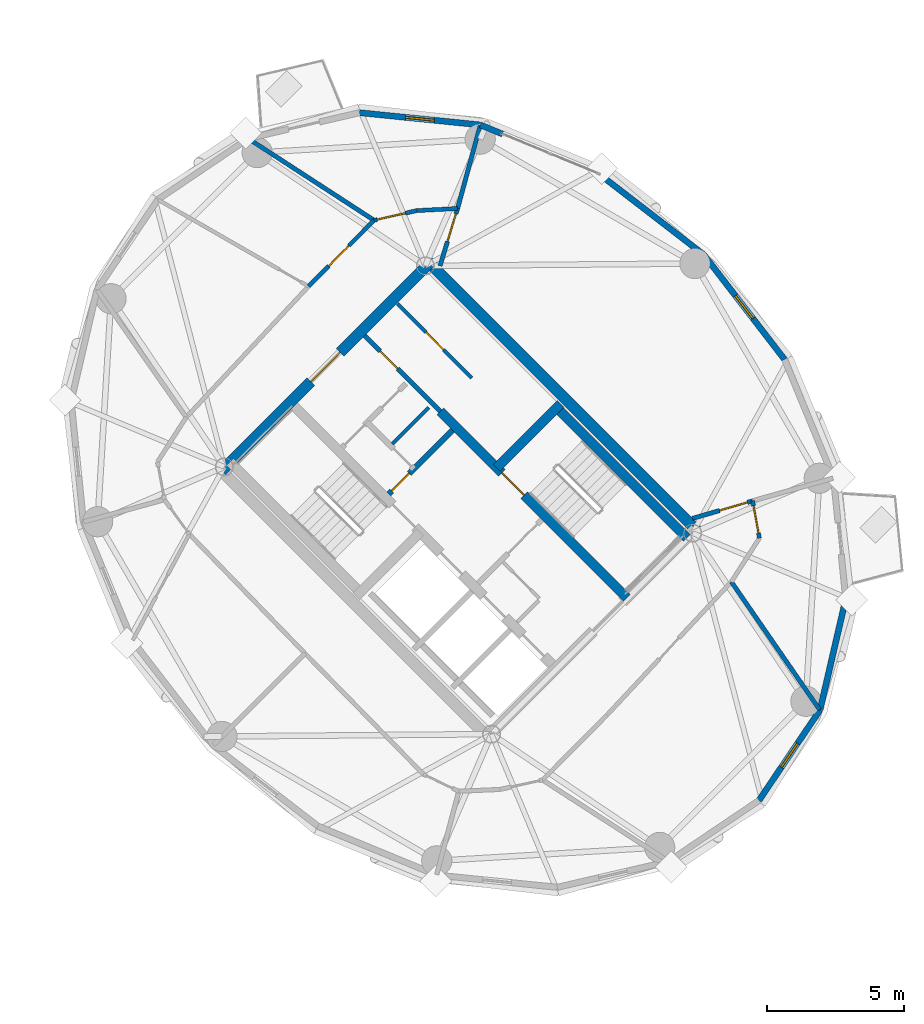
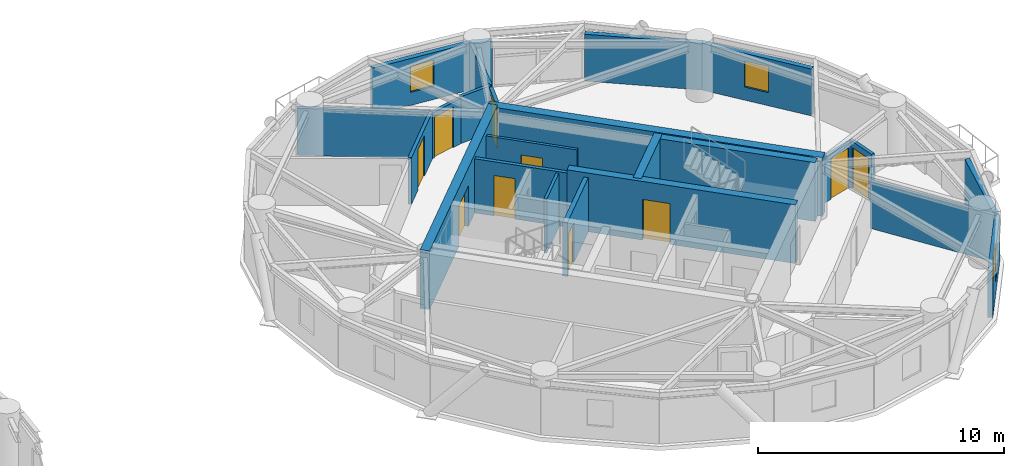
# One storey, part 12 of 16: 24 walls, 10 doors, 3 windows, 13 openings.
"""IFC4 building model written with IfcOpenShell, lengths in metres."""

from ifc_helpers import new_model, si_unit, direction, frame, frame_2d, origin, place, context, subcontext, project, spatial, rectangle, extrude, source, transform, mapped, material, layer, layer_set, type_object, element, fill, save


model = new_model("IFC4")

# Units and contexts
model_context = context("Model", 3, precision=1e-05, world=origin(), true_north=direction((0.0, 1.0)))
body_context = subcontext(model_context, "Body", "Model", "MODEL_VIEW")
ifc_project = project(units=[si_unit("LENGTHUNIT", "METRE"), si_unit("AREAUNIT", "SQUARE_METRE"), si_unit("VOLUMEUNIT", "CUBIC_METRE"), si_unit("PLANEANGLEUNIT", "RADIAN"), si_unit("MASSUNIT", "GRAM", prefix="KILO")], contexts=[model_context])

# Site, building, storey
site_placement = place(None, origin())
site = spatial("IfcSite", under=ifc_project, at=site_placement, CompositionType="ELEMENT")
building_placement = place(site_placement, origin())
building = spatial("IfcBuilding", under=site, at=building_placement, Name="Cununo Teusaquillo Station Towers", CompositionType="ELEMENT")
storey_placement = place(building_placement, frame((0.0, 0.0, 208.300048828125)))
storey = spatial("IfcBuildingStorey", under=building, at=storey_placement, Name="L66", CompositionType="ELEMENT", Elevation=208.300048828125)

# Wall, opening, door
ifc_material_1 = material(Name="Concrete C50/60", Category="concrete")
ifc_layer_1 = layer(ifc_material_1, 0.35009765625)
ifc_layer_set_1 = layer_set([ifc_layer_1], Name="Concrete C50/60")
wall_type_1 = type_object("IfcWallType", Name="WL-CORE-350", PredefinedType="SHEAR", material=ifc_layer_set_1)
wall_1_placement = place(storey_placement, frame((63.627197265625, 20.939697265625, 0.0), z_axis=(0.0, 0.0, 1.0), x_axis=(-0.707119496762, 0.707094065383, 0.0)))
wall_1 = element("IfcWall", 1, at=wall_1_placement, inside=storey, type_object=wall_type_1, Name="L66 Tower B Core Shear Wall IE", PredefinedType="SHEAR", context=body_context, shape_type="SweptSolid", body=[
    extrude(rectangle(XDim=9.60009765625, YDim=0.35009765625, at=frame_2d((4.800048828125, 0.0))), origin(), (0.0, 0.0, 1.0), 2.909912109375),
])
shared_shape_1 = source(origin(), body_context, "Body", "SweptSolid", [
    extrude(rectangle(XDim=1.14990234375, YDim=2.02001953125, at=frame_2d((0.574951171875, 1.010009765625))), frame((0.0, 0.18505859375, 0.0), z_axis=(0.0, -1.0, 0.0), x_axis=(1.0, 0.0, 0.0)), (0.0, 0.0, 1.0), 0.3701171875),
])
opening_1_placement = place(wall_1_placement, frame((5.280029296875, 0.0, 0.0)))
opening_1 = element("IfcOpeningElement", 2, at=opening_1_placement, cuts=wall_1, Name="Opening D-ST1", PredefinedType="OPENING", context=body_context, shape_type="MappedRepresentation", body=[
    mapped(shared_shape_1, transform((0.0, 0.0, 0.0), x_axis=(1.0, 0.0, 0.0), y_axis=(0.0, 1.0, 0.0), z_axis=(0.0, 0.0, 1.0), scale=1.0)),
])
ifc_material_2 = material(Name="Galvanised fire-rated hollow steel door assembly", Category="steel")
door_type_1 = type_object("IfcDoorType", Name="DR-STAIR-1150", OperationType="NOTDEFINED", PredefinedType="DOOR", material=ifc_material_2)
shared_shape_2 = source(origin(), body_context, "Body", "SweptSolid", [
    extrude(rectangle(XDim=1.14990234375, YDim=2.02001953125, at=frame_2d((0.574951171875, 1.010009765625))), frame((0.0, 0.02490234375, 0.0), z_axis=(0.0, -1.0, 0.0), x_axis=(1.0, 0.0, 0.0)), (0.0, 0.0, 1.0), 0.050048828125),
])
door_1_placement = place(opening_1_placement, origin())
door_1 = element("IfcDoor", 3, at=door_1_placement, inside=storey, type_object=door_type_1, Name="L66 Tower B Exit Stair 2 Fire Door", OperationType="SINGLE_SWING_RIGHT", OverallHeight=2.02001953125, OverallWidth=1.14990234375, PredefinedType="DOOR", context=body_context, shape_type="MappedRepresentation", body=[
    mapped(shared_shape_2, transform((0.0, 0.0, 0.0), x_axis=(1.0, 0.0, 0.0), y_axis=(0.0, 1.0, 0.0), z_axis=(0.0, 0.0, 1.0), scale=1.0)),
])
fill(opening_1, door_1)

# Walls
wall_2_placement = place(storey_placement, frame((65.81201171875, 23.124755859375, 0.0), z_axis=(0.0, 0.0, 1.0), x_axis=(-0.707106781187, 0.707106781187, 0.0)))
element("IfcWall", 4, at=wall_2_placement, inside=storey, type_object=wall_type_1, Name="L66 Tower B Core Shear Wall ST2E", PredefinedType="SHEAR", context=body_context, shape_type="SweptSolid", body=[
    extrude(rectangle(XDim=6.695068359375, YDim=0.35009765625, at=frame_2d((3.34765625, 0.0))), origin(), (0.0, 0.0, 1.0), 2.909912109375),
])
wall_3_placement = place(storey_placement, frame((58.89306640625, 25.673828125, 0.0), z_axis=(0.0, 0.0, 1.0), x_axis=(0.707106781187, 0.707106781187, 0.0)))
element("IfcWall", 5, at=wall_3_placement, inside=storey, type_object=wall_type_1, Name="L66 Tower B Core Shear Wall ST2N", PredefinedType="SHEAR", context=body_context, shape_type="SweptSolid", body=[
    extrude(rectangle(XDim=3.284912109375, YDim=0.35009765625, at=frame_2d((1.642578125, 0.0))), origin(), (0.0, 0.0, 1.0), 2.909912109375),
])
ifc_material_3 = material(Name="Concrete C50/60", Category="concrete")
ifc_layer_2 = layer(ifc_material_3, 0.39990234375)
ifc_layer_set_2 = layer_set([ifc_layer_2], Name="Concrete C50/60")
wall_type_2 = type_object("IfcWallType", Name="WL-CORE-400", PredefinedType="SHEAR", material=ifc_layer_set_2)
wall_4_placement = place(storey_placement, frame((66.26806640625, 23.2978515625, 0.0), z_axis=(0.0, 0.0, 1.0), x_axis=(-0.707106781187, 0.707106781187, 0.0)))
element("IfcWall", 6, at=wall_4_placement, inside=storey, type_object=wall_type_2, Name="L66 Tower B Core Shear Wall E", PredefinedType="SHEAR", context=body_context, shape_type="SweptSolid", body=[
    extrude(rectangle(XDim=14.10009765625, YDim=0.39990234375, at=frame_2d((7.050048828125, 0.0))), origin(), (0.0, 0.0, 1.0), 2.909912109375),
])

# Wall, opening, door
wall_5_placement = place(storey_placement, frame((48.873291015625, 25.560791015625, 0.0), z_axis=(0.0, 0.0, 1.0), x_axis=(0.707106781187, 0.707106781187, 0.0)))
wall_5 = element("IfcWall", 7, at=wall_5_placement, inside=storey, type_object=wall_type_2, Name="L66 Tower B Core Shear Wall N", PredefinedType="SHEAR", context=body_context, shape_type="SweptSolid", body=[
    extrude(rectangle(XDim=10.69970703125, YDim=0.39990234375, at=frame_2d((5.349853515625, 0.0))), origin(), (0.0, 0.0, 1.0), 2.909912109375),
])
shared_shape_3 = source(origin(), body_context, "Body", "SweptSolid", [
    extrude(rectangle(XDim=1.5, YDim=2.02001953125, at=frame_2d((0.75, 1.010009765625))), frame((0.0, 0.2099609375, 0.0), z_axis=(0.0, -1.0, 0.0), x_axis=(1.0, 0.0, 0.0)), (0.0, 0.0, 1.0), 0.419921875),
])
opening_2_placement = place(wall_5_placement, frame((4.60009765625, 0.0, 0.0)))
opening_2 = element("IfcOpeningElement", 8, at=opening_2_placement, cuts=wall_5, Name="Opening D-LB1", PredefinedType="OPENING", context=body_context, shape_type="MappedRepresentation", body=[
    mapped(shared_shape_3, transform((0.0, 0.0, 0.0), x_axis=(1.0, 0.0, 0.0), y_axis=(0.0, 1.0, 0.0), z_axis=(0.0, 0.0, 1.0), scale=1.0)),
])
ifc_material_4 = material(Name="Galvanised fire-rated hollow steel door assembly", Category="steel")
door_type_2 = type_object("IfcDoorType", Name="DR-LOBBY-1500", OperationType="DOUBLE_DOOR_SINGLE_SWING", PredefinedType="DOOR", material=ifc_material_4)
shared_shape_4 = source(origin(), body_context, "Body", "SweptSolid", [
    extrude(rectangle(XDim=1.5, YDim=2.02001953125, at=frame_2d((0.75, 1.010009765625))), frame((0.0, 0.02490234375, 0.0), z_axis=(0.0, -1.0, 0.0), x_axis=(1.0, 0.0, 0.0)), (0.0, 0.0, 1.0), 0.050048828125),
])
door_2_placement = place(opening_2_placement, origin())
door_2 = element("IfcDoor", 9, at=door_2_placement, inside=storey, type_object=door_type_2, Name="L66 Tower B North Core Lift Lobby Door", OperationType="DOUBLE_DOOR_SINGLE_SWING", OverallHeight=2.02001953125, OverallWidth=1.5, PredefinedType="DOOR", context=body_context, shape_type="MappedRepresentation", body=[
    mapped(shared_shape_4, transform((0.0, 0.0, 0.0), x_axis=(1.0, 0.0, 0.0), y_axis=(0.0, 1.0, 0.0), z_axis=(0.0, 0.0, 1.0), scale=1.0)),
])
fill(opening_2, door_2)

# Walls
ifc_material_5 = material(Name="Precast concrete C40/50", Category="concrete")
ifc_layer_3 = layer(ifc_material_5, 0.219970703125)
ifc_layer_set_3 = layer_set([ifc_layer_3], Name="Precast concrete C40/50")
wall_type_3 = type_object("IfcWallType", Name="WL-EXT-220", PredefinedType="SOLIDWALL", material=ifc_layer_set_3)
wall_6_placement = place(storey_placement, frame((62.61328125, 36.373779296875, 0.0), z_axis=(0.0, 0.0, 1.0), x_axis=(0.791998462147, -0.610523083886, 0.0)))
element("IfcWall", 10, at=wall_6_placement, inside=storey, type_object=wall_type_3, Name="L66 Tower B Exterior Facade Wall C00", PredefinedType="SOLIDWALL", context=body_context, shape_type="SweptSolid", body=[
    extrude(rectangle(XDim=4.8203125, YDim=0.219970703125, at=frame_2d((2.41015625, 0.0))), origin(), (0.0, 0.0, 1.0), 2.322021484375),
])
wall_7_placement = place(storey_placement, frame((58.29541015625, 38.15478515625, 0.0), z_axis=(0.0, 0.0, 1.0), x_axis=(0.924515260676, -0.381145028536, 0.0)))
element("IfcWall", 11, at=wall_7_placement, inside=storey, type_object=wall_type_3, Name="L66 Tower B Column Pier Cladding Wall C01-PA", PredefinedType="SOLIDWALL", context=body_context, shape_type="SweptSolid", body=[
    extrude(rectangle(XDim=0.869873046875, YDim=0.219970703125, at=frame_2d((0.43505859375, 0.0))), origin(), (0.0, 0.0, 1.0), 2.322021484375),
])

# Wall, opening, window
wall_8_placement = place(storey_placement, frame((53.899658203125, 38.59912109375, 0.0), z_axis=(0.0, 0.0, 1.0), x_axis=(0.994929930991, -0.100570534541, 0.0)))
wall_8 = element("IfcWall", 12, at=wall_8_placement, inside=storey, type_object=wall_type_3, Name="L66 Tower B Exterior Facade Wall C02", PredefinedType="SOLIDWALL", context=body_context, shape_type="SweptSolid", body=[
    extrude(rectangle(XDim=4.418212890625, YDim=0.219970703125, at=frame_2d((2.208984375, 0.0))), origin(), (0.0, 0.0, 1.0), 2.322021484375),
])
shared_shape_5 = source(origin(), body_context, "Body", "SweptSolid", [
    extrude(rectangle(XDim=1.050048828125, YDim=1.300048828125, at=frame_2d((0.52490234375, 0.64990234375))), frame((0.0, 0.119873046875, 0.0), z_axis=(0.0, -1.0, 0.0), x_axis=(1.0, 0.0, 0.0)), (0.0, 0.0, 1.0), 0.239990234375),
])
opening_3_placement = place(wall_8_placement, frame((1.68408203125, 0.0, 0.64990234375)))
opening_3 = element("IfcOpeningElement", 13, at=opening_3_placement, cuts=wall_8, Name="Opening WN-04", PredefinedType="OPENING", context=body_context, shape_type="MappedRepresentation", body=[
    mapped(shared_shape_5, transform((0.0, 0.0, 0.0), x_axis=(1.0, 0.0, 0.0), y_axis=(0.0, 1.0, 0.0), z_axis=(0.0, 0.0, 1.0), scale=1.0)),
])
ifc_material_6 = material(Name="Operable acoustic tinted low-E double glazing", Category="glass")
window_type = type_object("IfcWindowType", Name="WIN-BAL-1050", PartitioningType="SINGLE_PANEL", PredefinedType="WINDOW", material=ifc_material_6)
shared_shape_6 = source(origin(), body_context, "Body", "SweptSolid", [
    extrude(rectangle(XDim=1.050048828125, YDim=1.300048828125, at=frame_2d((0.52490234375, 0.64990234375))), frame((0.0, 0.030029296875, 0.0), z_axis=(0.0, -1.0, 0.0), x_axis=(1.0, 0.0, 0.0)), (0.0, 0.0, 1.0), 0.06005859375),
])
window_1_placement = place(opening_3_placement, origin())
window_1 = element("IfcWindow", 14, at=window_1_placement, inside=storey, type_object=window_type, Name="L66 Tower B Facade Window C02", OverallHeight=1.300048828125, OverallWidth=1.050048828125, PartitioningType="SINGLE_PANEL", PredefinedType="WINDOW", context=body_context, shape_type="MappedRepresentation", body=[
    mapped(shared_shape_6, transform((0.0, 0.0, 0.0), x_axis=(1.0, 0.0, 0.0), y_axis=(0.0, 1.0, 0.0), z_axis=(0.0, 0.0, 1.0), scale=1.0)),
])
fill(opening_3, window_1)

wall_9_placement = place(storey_placement, frame((70.663330078125, 16.856201171875, 0.0), z_axis=(0.0, 0.0, 1.0), x_axis=(-0.559495003079, -0.828833723692, 0.0)))
wall_9 = element("IfcWall", 15, at=wall_9_placement, inside=storey, type_object=wall_type_3, Name="L66 Tower B Exterior Facade Wall C15", PredefinedType="SOLIDWALL", context=body_context, shape_type="SweptSolid", body=[
    extrude(rectangle(XDim=3.9755859375, YDim=0.219970703125, at=frame_2d((1.98779296875, 0.0))), origin(), (0.0, 0.0, 1.0), 2.322021484375),
])
opening_4_placement = place(wall_9_placement, frame((1.462890625, 0.0, 0.64990234375)))
opening_4 = element("IfcOpeningElement", 16, at=opening_4_placement, cuts=wall_9, Name="Opening WN-04", PredefinedType="OPENING", context=body_context, shape_type="MappedRepresentation", body=[
    mapped(shared_shape_5, transform((0.0, 0.0, 0.0), x_axis=(1.0, 0.0, 0.0), y_axis=(0.0, 1.0, 0.0), z_axis=(0.0, 0.0, 1.0), scale=1.0)),
])
window_2_placement = place(opening_4_placement, origin())
window_2 = element("IfcWindow", 17, at=window_2_placement, inside=storey, type_object=window_type, Name="L66 Tower B Facade Window C15", OverallHeight=1.300048828125, OverallWidth=1.050048828125, PartitioningType="SINGLE_PANEL", PredefinedType="WINDOW", context=body_context, shape_type="MappedRepresentation", body=[
    mapped(shared_shape_6, transform((0.0, 0.0, 0.0), x_axis=(1.0, 0.0, 0.0), y_axis=(0.0, 1.0, 0.0), z_axis=(0.0, 0.0, 1.0), scale=1.0)),
])
fill(opening_4, window_2)

# Wall
wall_10_placement = place(storey_placement, frame((71.59912109375, 20.899658203125, 0.0), z_axis=(0.0, 0.0, 1.0), x_axis=(-0.225473813158, -0.974249228678, 0.0)))
element("IfcWall", 18, at=wall_10_placement, inside=storey, type_object=wall_type_3, Name="L66 Tower B Exterior Facade Wall C16", PredefinedType="SOLIDWALL", context=body_context, shape_type="SweptSolid", body=[
    extrude(rectangle(XDim=4.150390625, YDim=0.219970703125, at=frame_2d((2.0751953125, 0.0))), origin(), (0.0, 0.0, 1.0), 2.322021484375),
])

# Wall, opening, window
wall_11_placement = place(storey_placement, frame((66.430908203125, 33.430908203125, 0.0), z_axis=(0.0, 0.0, 1.0), x_axis=(0.610523083886, -0.791998462147, 0.0)))
wall_11 = element("IfcWall", 19, at=wall_11_placement, inside=storey, type_object=wall_type_3, Name="L66 Tower B Exterior Facade Wall C19", PredefinedType="SOLIDWALL", context=body_context, shape_type="SweptSolid", body=[
    extrude(rectangle(XDim=4.8203125, YDim=0.219970703125, at=frame_2d((2.41015625, 0.0))), origin(), (0.0, 0.0, 1.0), 2.322021484375),
])
opening_5_placement = place(wall_11_placement, frame((1.885009765625, 0.0, 0.64990234375)))
opening_5 = element("IfcOpeningElement", 20, at=opening_5_placement, cuts=wall_11, Name="Opening WN-04", PredefinedType="OPENING", context=body_context, shape_type="MappedRepresentation", body=[
    mapped(shared_shape_5, transform((0.0, 0.0, 0.0), x_axis=(1.0, 0.0, 0.0), y_axis=(0.0, 1.0, 0.0), z_axis=(0.0, 0.0, 1.0), scale=1.0)),
])
window_3_placement = place(opening_5_placement, origin())
window_3 = element("IfcWindow", 21, at=window_3_placement, inside=storey, type_object=window_type, Name="L66 Tower B Facade Window C19", OverallHeight=1.300048828125, OverallWidth=1.050048828125, PartitioningType="SINGLE_PANEL", PredefinedType="WINDOW", context=body_context, shape_type="MappedRepresentation", body=[
    mapped(shared_shape_6, transform((0.0, 0.0, 0.0), x_axis=(1.0, 0.0, 0.0), y_axis=(0.0, 1.0, 0.0), z_axis=(0.0, 0.0, 1.0), scale=1.0)),
])
fill(opening_5, window_3)

# Wall
ifc_material_7 = material(Name="Fire-rated gypsum plasterboard partition assembly", Category="gypsum")
ifc_layer_4 = layer(ifc_material_7, 0.125)
ifc_layer_set_4 = layer_set([ifc_layer_4], Name="Fire-rated gypsum plasterboard partition assembly")
wall_type_4 = type_object("IfcWallType", Name="WL-PART-125", PredefinedType="PARTITIONING", material=ifc_layer_set_4)
wall_12_placement = place(storey_placement, frame((55.0888671875, 26.54345703125, 0.0), z_axis=(0.0, 0.0, 1.0), x_axis=(0.707106781187, 0.707106781187, 0.0)))
element("IfcWall", 22, at=wall_12_placement, inside=storey, type_object=wall_type_4, Name="L66 Tower B Core Horizontal Split Wall", PredefinedType="PARTITIONING", context=body_context, shape_type="SweptSolid", body=[
    extrude(rectangle(XDim=1.8798828125, YDim=0.125, at=frame_2d((0.93994140625, 0.0))), origin(), (0.0, 0.0, 1.0), 2.68505859375),
])

# Wall, opening, door
wall_13_placement = place(storey_placement, frame((57.980712890625, 28.940673828125, 0.0), z_axis=(0.0, 0.0, 1.0), x_axis=(-0.707074823725, 0.707138737204, 0.0)))
wall_13 = element("IfcWall", 23, at=wall_13_placement, inside=storey, type_object=wall_type_4, Name="L66 Tower B Reclaimed Bay Vertical Split Wall", PredefinedType="PARTITIONING", context=body_context, shape_type="SweptSolid", body=[
    extrude(rectangle(XDim=3.81982421875, YDim=0.125, at=frame_2d((1.909912109375, 0.0))), origin(), (0.0, 0.0, 1.0), 2.68505859375),
])
shared_shape_7 = source(origin(), body_context, "Body", "SweptSolid", [
    extrude(rectangle(XDim=0.89990234375, YDim=2.0048828125, at=frame_2d((0.449951171875, 1.00244140625))), frame((0.0, 0.072509765625, 0.0), z_axis=(0.0, -1.0, 0.0), x_axis=(1.0, 0.0, 0.0)), (0.0, 0.0, 1.0), 0.14501953125),
])
opening_6_placement = place(wall_13_placement, frame((1.449951171875, 0.0, 0.0)))
opening_6 = element("IfcOpeningElement", 24, at=opening_6_placement, cuts=wall_13, Name="Opening D-IN1", PredefinedType="OPENING", context=body_context, shape_type="MappedRepresentation", body=[
    mapped(shared_shape_7, transform((0.0, 0.0, 0.0), x_axis=(1.0, 0.0, 0.0), y_axis=(0.0, 1.0, 0.0), z_axis=(0.0, 0.0, 1.0), scale=1.0)),
])
ifc_material_8 = material(Name="Acoustic solid-core hardwood leaf assembly", Category="wood")
door_type_3 = type_object("IfcDoorType", Name="DR-INT-900", OperationType="NOTDEFINED", PredefinedType="DOOR", material=ifc_material_8)
shared_shape_8 = source(origin(), body_context, "Body", "SweptSolid", [
    extrude(rectangle(XDim=0.89990234375, YDim=2.0048828125, at=frame_2d((0.449951171875, 1.00244140625))), frame((0.0, 0.02490234375, 0.0), z_axis=(0.0, -1.0, 0.0), x_axis=(1.0, 0.0, 0.0)), (0.0, 0.0, 1.0), 0.050048828125),
])
door_3_placement = place(opening_6_placement, origin())
door_3 = element("IfcDoor", 25, at=door_3_placement, inside=storey, type_object=door_type_3, Name="L66 Tower B Reclaimed Acoustic Booth Door", OperationType="SINGLE_SWING_LEFT", OverallHeight=2.0048828125, OverallWidth=0.89990234375, PredefinedType="DOOR", context=body_context, shape_type="MappedRepresentation", body=[
    mapped(shared_shape_8, transform((0.0, 0.0, 0.0), x_axis=(1.0, 0.0, 0.0), y_axis=(0.0, 1.0, 0.0), z_axis=(0.0, 0.0, 1.0), scale=1.0)),
])
fill(opening_6, door_3)

# Wall
ifc_material_9 = material(Name="Fire-rated gypsum plasterboard partition assembly", Category="gypsum")
ifc_layer_5 = layer(ifc_material_9, 0.14990234375)
ifc_layer_set_5 = layer_set([ifc_layer_5], Name="Fire-rated gypsum plasterboard partition assembly")
wall_type_5 = type_object("IfcWallType", Name="WL-PART-150", PredefinedType="PARTITIONING", material=ifc_layer_set_5)
wall_14_placement = place(storey_placement, frame((57.466796875, 35.111328125, 0.0), z_axis=(0.0, 0.0, 1.0), x_axis=(-0.998691757323, -0.051134859488, 0.0)))
element("IfcWall", 26, at=wall_14_placement, inside=storey, type_object=wall_type_5, Name="L66 Tower B Corridor Ring Wall C02", PredefinedType="PARTITIONING", context=body_context, shape_type="SweptSolid", body=[
    extrude(rectangle(XDim=1.48486328125, YDim=0.14990234375, at=frame_2d((0.742431640625, 0.0))), origin(), (0.0, 0.0, 1.0), 2.322021484375),
])

# Wall, opening, door
wall_15_placement = place(storey_placement, frame((55.98388671875, 35.035400390625, 0.0), z_axis=(0.0, 0.0, 1.0), x_axis=(-0.975290305708, -0.22092718165, 0.0)))
wall_15 = element("IfcWall", 27, at=wall_15_placement, inside=storey, type_object=wall_type_5, Name="L66 Tower B Corridor Ring Wall C03", PredefinedType="PARTITIONING", context=body_context, shape_type="SweptSolid", body=[
    extrude(rectangle(XDim=1.596923828125, YDim=0.14990234375, at=frame_2d((0.79833984375, 0.0))), origin(), (0.0, 0.0, 1.0), 2.2548828125),
])
shared_shape_9 = source(origin(), body_context, "Body", "SweptSolid", [
    extrude(rectangle(XDim=1.050048828125, YDim=2.014892578125, at=frame_2d((0.52490234375, 1.00732421875))), frame((0.0, 0.0849609375, 0.0), z_axis=(0.0, -1.0, 0.0), x_axis=(1.0, 0.0, 0.0)), (0.0, 0.0, 1.0), 0.169921875),
])
opening_7_placement = place(wall_15_placement, frame((0.4267578125, 0.0, 0.0)))
opening_7 = element("IfcOpeningElement", 28, at=opening_7_placement, cuts=wall_15, Name="Opening D-SU1", PredefinedType="OPENING", context=body_context, shape_type="MappedRepresentation", body=[
    mapped(shared_shape_9, transform((0.0, 0.0, 0.0), x_axis=(1.0, 0.0, 0.0), y_axis=(0.0, 1.0, 0.0), z_axis=(0.0, 0.0, 1.0), scale=1.0)),
])
ifc_material_10 = material(Name="Acoustic solid-core hardwood leaf assembly", Category="wood")
door_type_4 = type_object("IfcDoorType", Name="DR-SUITE-1050", OperationType="NOTDEFINED", PredefinedType="DOOR", material=ifc_material_10)
shared_shape_10 = source(origin(), body_context, "Body", "SweptSolid", [
    extrude(rectangle(XDim=1.050048828125, YDim=2.014892578125, at=frame_2d((0.52490234375, 1.00732421875))), frame((0.0, 0.02490234375, 0.0), z_axis=(0.0, -1.0, 0.0), x_axis=(1.0, 0.0, 0.0)), (0.0, 0.0, 1.0), 0.050048828125),
])
door_4_placement = place(opening_7_placement, origin())
door_4 = element("IfcDoor", 29, at=door_4_placement, inside=storey, type_object=door_type_4, Name="L66 Tower B Andean Climate Foundation HQ Entrance Door", OperationType="SINGLE_SWING_RIGHT", OverallHeight=2.014892578125, OverallWidth=1.050048828125, PredefinedType="DOOR", context=body_context, shape_type="MappedRepresentation", body=[
    mapped(shared_shape_10, transform((0.0, 0.0, 0.0), x_axis=(1.0, 0.0, 0.0), y_axis=(0.0, 1.0, 0.0), z_axis=(0.0, 0.0, 1.0), scale=1.0)),
])
fill(opening_7, door_4)

wall_16_placement = place(storey_placement, frame((54.426513671875, 34.6826171875, 0.0), z_axis=(0.0, 0.0, 1.0), x_axis=(-0.704178989986, -0.710022499687, 0.0)))
wall_16 = element("IfcWall", 30, at=wall_16_placement, inside=storey, type_object=wall_type_5, Name="L66 Tower B Corridor Ring Wall C04", PredefinedType="PARTITIONING", context=body_context, shape_type="SweptSolid", body=[
    extrude(rectangle(XDim=3.38427734375, YDim=0.14990234375, at=frame_2d((1.692138671875, 0.0))), origin(), (0.0, 0.0, 1.0), 2.322021484375),
])
opening_8_placement = place(wall_16_placement, frame((1.2978515625, 0.0, 0.0)))
opening_8 = element("IfcOpeningElement", 31, at=opening_8_placement, cuts=wall_16, Name="Opening D-SU1", PredefinedType="OPENING", context=body_context, shape_type="MappedRepresentation", body=[
    mapped(shared_shape_9, transform((0.0, 0.0, 0.0), x_axis=(1.0, 0.0, 0.0), y_axis=(0.0, 1.0, 0.0), z_axis=(0.0, 0.0, 1.0), scale=1.0)),
])
door_5_placement = place(opening_8_placement, origin())
door_5 = element("IfcDoor", 32, at=door_5_placement, inside=storey, type_object=door_type_4, Name="L66 Tower B International Arbitration Salon Entrance Door", OperationType="SINGLE_SWING_LEFT", OverallHeight=2.014892578125, OverallWidth=1.050048828125, PredefinedType="DOOR", context=body_context, shape_type="MappedRepresentation", body=[
    mapped(shared_shape_10, transform((0.0, 0.0, 0.0), x_axis=(1.0, 0.0, 0.0), y_axis=(0.0, 1.0, 0.0), z_axis=(0.0, 0.0, 1.0), scale=1.0)),
])
fill(opening_8, door_5)

wall_17_placement = place(storey_placement, frame((68.45556640625, 23.109619140625, 0.0), z_axis=(0.0, 0.0, 1.0), x_axis=(-0.1772522795, 0.984165448191, 0.0)))
wall_17 = element("IfcWall", 33, at=wall_17_placement, inside=storey, type_object=wall_type_5, Name="L66 Tower B Corridor Ring Wall C17", PredefinedType="PARTITIONING", context=body_context, shape_type="SweptSolid", body=[
    extrude(rectangle(XDim=1.381591796875, YDim=0.14990234375, at=frame_2d((0.69091796875, 0.0))), origin(), (0.0, 0.0, 1.0), 2.322021484375),
])
shared_shape_11 = source(origin(), body_context, "Body", "SweptSolid", [
    extrude(rectangle(XDim=1.0, YDim=2.014892578125, at=frame_2d((0.5, 1.00732421875))), frame((0.0, 0.0849609375, 0.0), z_axis=(0.0, -1.0, 0.0), x_axis=(1.0, 0.0, 0.0)), (0.0, 0.0, 1.0), 0.169921875),
])
opening_9_placement = place(wall_17_placement, frame((0.19091796875, 0.0, 0.0)))
opening_9 = element("IfcOpeningElement", 34, at=opening_9_placement, cuts=wall_17, Name="Opening D-AC1", PredefinedType="OPENING", context=body_context, shape_type="MappedRepresentation", body=[
    mapped(shared_shape_11, transform((0.0, 0.0, 0.0), x_axis=(1.0, 0.0, 0.0), y_axis=(0.0, 1.0, 0.0), z_axis=(0.0, 0.0, 1.0), scale=1.0)),
])
ifc_material_11 = material(Name="Acoustic solid-core hardwood leaf assembly", Category="wood")
door_type_5 = type_object("IfcDoorType", Name="DR-ACC-1000", OperationType="NOTDEFINED", PredefinedType="DOOR", material=ifc_material_11)
shared_shape_12 = source(origin(), body_context, "Body", "SweptSolid", [
    extrude(rectangle(XDim=1.0, YDim=2.014892578125, at=frame_2d((0.5, 1.00732421875))), frame((0.0, 0.02490234375, 0.0), z_axis=(0.0, -1.0, 0.0), x_axis=(1.0, 0.0, 0.0)), (0.0, 0.0, 1.0), 0.050048828125),
])
door_6_placement = place(opening_9_placement, origin())
door_6 = element("IfcDoor", 35, at=door_6_placement, inside=storey, type_object=door_type_5, Name="L66 Tower B Public Accessible Restroom WC Entrance Door", OperationType="SINGLE_SWING_LEFT", OverallHeight=2.014892578125, OverallWidth=1.0, PredefinedType="DOOR", context=body_context, shape_type="MappedRepresentation", body=[
    mapped(shared_shape_12, transform((0.0, 0.0, 0.0), x_axis=(1.0, 0.0, 0.0), y_axis=(0.0, 1.0, 0.0), z_axis=(0.0, 0.0, 1.0), scale=1.0)),
])
fill(opening_9, door_6)

ifc_material_12 = material(Name="Fire-rated gypsum plasterboard partition assembly", Category="gypsum")
ifc_layer_6 = layer(ifc_material_12, 0.159912109375)
ifc_layer_set_6 = layer_set([ifc_layer_6], Name="Fire-rated gypsum plasterboard partition assembly")
wall_type_6 = type_object("IfcWallType", Name="WL-PART-160", PredefinedType="PARTITIONING", material=ifc_layer_set_6)
wall_18_placement = place(storey_placement, frame((56.8388671875, 27.727783203125, 0.0), z_axis=(0.0, 0.0, 1.0), x_axis=(-0.707106781187, 0.707106781187, 0.0)))
wall_18 = element("IfcWall", 36, at=wall_18_placement, inside=storey, type_object=wall_type_6, Name="L66 Tower B Reclaimed Core Bay Entry Wall", PredefinedType="PARTITIONING", context=body_context, shape_type="SweptSolid", body=[
    extrude(rectangle(XDim=3.900146484375, YDim=0.159912109375, at=frame_2d((1.9501953125, 0.0))), origin(), (0.0, 0.0, 1.0), 2.68505859375),
])
shared_shape_13 = source(origin(), body_context, "Body", "SweptSolid", [
    extrude(rectangle(XDim=0.89990234375, YDim=2.0048828125, at=frame_2d((0.449951171875, 1.00244140625))), frame((0.0, 0.08984375, 0.0), z_axis=(0.0, -1.0, 0.0), x_axis=(1.0, 0.0, 0.0)), (0.0, 0.0, 1.0), 0.179931640625),
])
opening_10_placement = place(wall_18_placement, frame((2.199951171875, 0.0, 0.0)))
opening_10 = element("IfcOpeningElement", 37, at=opening_10_placement, cuts=wall_18, Name="Opening D-IN1", PredefinedType="OPENING", context=body_context, shape_type="MappedRepresentation", body=[
    mapped(shared_shape_13, transform((0.0, 0.0, 0.0), x_axis=(1.0, 0.0, 0.0), y_axis=(0.0, 1.0, 0.0), z_axis=(0.0, 0.0, 1.0), scale=1.0)),
])
door_7_placement = place(opening_10_placement, origin())
door_7 = element("IfcDoor", 38, at=door_7_placement, inside=storey, type_object=door_type_3, Name="L66 Tower B Reclaimed Meeting Room Door", OperationType="SINGLE_SWING_RIGHT", OverallHeight=2.0048828125, OverallWidth=0.89990234375, PredefinedType="DOOR", context=body_context, shape_type="MappedRepresentation", body=[
    mapped(shared_shape_8, transform((0.0, 0.0, 0.0), x_axis=(1.0, 0.0, 0.0), y_axis=(0.0, 1.0, 0.0), z_axis=(0.0, 0.0, 1.0), scale=1.0)),
])
fill(opening_10, door_7)

# Walls
wall_19_placement = place(storey_placement, frame((57.466796875, 35.111328125, 0.0), z_axis=(0.0, 0.0, 1.0), x_axis=(0.263354670488, 0.964699081337, 0.0)))
element("IfcWall", 39, at=wall_19_placement, inside=storey, type_object=wall_type_6, Name="L66 Tower B Radial Suite Partition R01", PredefinedType="PARTITIONING", context=body_context, shape_type="SweptSolid", body=[
    extrude(rectangle(XDim=3.13427734375, YDim=0.159912109375, at=frame_2d((1.567138671875, 0.0))), origin(), (0.0, 0.0, 1.0), 2.322021484375),
])
wall_20_placement = place(storey_placement, frame((54.426513671875, 34.6826171875, 0.0), z_axis=(0.0, 0.0, 1.0), x_axis=(-0.83860663594, 0.544737469023, 0.0)))
element("IfcWall", 40, at=wall_20_placement, inside=storey, type_object=wall_type_6, Name="L66 Tower B Radial Suite Partition R02", PredefinedType="PARTITIONING", context=body_context, shape_type="SweptSolid", body=[
    extrude(rectangle(XDim=5.439208984375, YDim=0.159912109375, at=frame_2d((2.7197265625, 0.0))), origin(), (0.0, 0.0, 1.0), 2.322021484375),
])
wall_21_placement = place(storey_placement, frame((67.4345703125, 21.521484375, 0.0), z_axis=(0.0, 0.0, 1.0), x_axis=(0.567700677576, -0.823235045828, 0.0)))
element("IfcWall", 41, at=wall_21_placement, inside=storey, type_object=wall_type_6, Name="L66 Tower B Radial Suite Partition R08", PredefinedType="PARTITIONING", context=body_context, shape_type="SweptSolid", body=[
    extrude(rectangle(XDim=5.656005859375, YDim=0.159912109375, at=frame_2d((2.828125, 0.0))), origin(), (0.0, 0.0, 1.0), 2.322021484375),
])

# Wall, opening, door
wall_22_placement = place(storey_placement, frame((56.828125, 33.0205078125, 0.0), z_axis=(0.0, 0.0, 1.0), x_axis=(0.292139093972, 0.956375841274, 0.0)))
wall_22 = element("IfcWall", 42, at=wall_22_placement, inside=storey, type_object=wall_type_6, Name="L66 Tower B East Salon Corridor Portal Wall NE", PredefinedType="PARTITIONING", context=body_context, shape_type="SweptSolid", body=[
    extrude(rectangle(XDim=2.186279296875, YDim=0.159912109375, at=frame_2d((1.09326171875, 0.0))), origin(), (0.0, 0.0, 1.0), 2.2548828125),
])
shared_shape_14 = source(origin(), body_context, "Body", "SweptSolid", [
    extrude(rectangle(XDim=1.050048828125, YDim=2.014892578125, at=frame_2d((0.52490234375, 1.00732421875))), frame((0.0, 0.08984375, 0.0), z_axis=(0.0, -1.0, 0.0), x_axis=(1.0, 0.0, 0.0)), (0.0, 0.0, 1.0), 0.179931640625),
])
opening_11_placement = place(wall_22_placement, frame((0.93603515625, 0.0, 0.0)))
opening_11 = element("IfcOpeningElement", 43, at=opening_11_placement, cuts=wall_22, Name="Opening D-SU1", PredefinedType="OPENING", context=body_context, shape_type="MappedRepresentation", body=[
    mapped(shared_shape_14, transform((0.0, 0.0, 0.0), x_axis=(1.0, 0.0, 0.0), y_axis=(0.0, 1.0, 0.0), z_axis=(0.0, 0.0, 1.0), scale=1.0)),
])
door_8_placement = place(opening_11_placement, origin())
door_8 = element("IfcDoor", 44, at=door_8_placement, inside=storey, type_object=door_type_4, Name="L66 Tower B East Panorama Sky Salon Door NE", OperationType="SINGLE_SWING_RIGHT", OverallHeight=2.014892578125, OverallWidth=1.050048828125, PredefinedType="DOOR", context=body_context, shape_type="MappedRepresentation", body=[
    mapped(shared_shape_10, transform((0.0, 0.0, 0.0), x_axis=(1.0, 0.0, 0.0), y_axis=(0.0, 1.0, 0.0), z_axis=(0.0, 0.0, 1.0), scale=1.0)),
])
fill(opening_11, door_8)

wall_23_placement = place(storey_placement, frame((66.0205078125, 23.828125, 0.0), z_axis=(0.0, 0.0, 1.0), x_axis=(0.959727558294, 0.280932400856, 0.0)))
wall_23 = element("IfcWall", 45, at=wall_23_placement, inside=storey, type_object=wall_type_6, Name="L66 Tower B East Salon Corridor Portal Wall SE", PredefinedType="PARTITIONING", context=body_context, shape_type="SweptSolid", body=[
    extrude(rectangle(XDim=2.281982421875, YDim=0.159912109375, at=frame_2d((1.14111328125, 0.0))), origin(), (0.0, 0.0, 1.0), 2.2548828125),
])
opening_12_placement = place(wall_23_placement, frame((1.031982421875, 0.0, 0.0)))
opening_12 = element("IfcOpeningElement", 46, at=opening_12_placement, cuts=wall_23, Name="Opening D-SU1", PredefinedType="OPENING", context=body_context, shape_type="MappedRepresentation", body=[
    mapped(shared_shape_14, transform((0.0, 0.0, 0.0), x_axis=(1.0, 0.0, 0.0), y_axis=(0.0, 1.0, 0.0), z_axis=(0.0, 0.0, 1.0), scale=1.0)),
])
door_9_placement = place(opening_12_placement, origin())
door_9 = element("IfcDoor", 47, at=door_9_placement, inside=storey, type_object=door_type_4, Name="L66 Tower B East Panorama Sky Salon Door SE", OperationType="SINGLE_SWING_LEFT", OverallHeight=2.014892578125, OverallWidth=1.050048828125, PredefinedType="DOOR", context=body_context, shape_type="MappedRepresentation", body=[
    mapped(shared_shape_10, transform((0.0, 0.0, 0.0), x_axis=(1.0, 0.0, 0.0), y_axis=(0.0, 1.0, 0.0), z_axis=(0.0, 0.0, 1.0), scale=1.0)),
])
fill(opening_12, door_9)

ifc_material_13 = material(Name="Fire-rated gypsum plasterboard partition assembly", Category="gypsum")
ifc_layer_7 = layer(ifc_material_13, 0.199951171875)
ifc_layer_set_7 = layer_set([ifc_layer_7], Name="Fire-rated gypsum plasterboard partition assembly")
wall_type_7 = type_object("IfcWallType", Name="WL-PART-200", PredefinedType="PARTITIONING", material=ifc_layer_set_7)
wall_24_placement = place(storey_placement, frame((54.96142578125, 24.71923828125, 0.0), z_axis=(0.0, 0.0, 1.0), x_axis=(0.707106781187, 0.707106781187, 0.0)))
wall_24 = element("IfcWall", 48, at=wall_24_placement, inside=storey, type_object=wall_type_7, Name="L66 Tower B Firefighting Lift Lobby North Fire Wall", PredefinedType="PARTITIONING", context=body_context, shape_type="SweptSolid", body=[
    extrude(rectangle(XDim=3.280029296875, YDim=0.199951171875, at=frame_2d((1.64013671875, 0.0))), origin(), (0.0, 0.0, 1.0), 2.68505859375),
])
shared_shape_15 = source(origin(), body_context, "Body", "SweptSolid", [
    extrude(rectangle(XDim=0.89990234375, YDim=2.0048828125, at=frame_2d((0.449951171875, 1.00244140625))), frame((0.0, 0.10986328125, 0.0), z_axis=(0.0, -1.0, 0.0), x_axis=(1.0, 0.0, 0.0)), (0.0, 0.0, 1.0), 0.219970703125),
])
opening_13_placement = place(wall_24_placement, frame((0.159912109375, 0.0, 0.0)))
opening_13 = element("IfcOpeningElement", 49, at=opening_13_placement, cuts=wall_24, Name="Opening D-SR1", PredefinedType="OPENING", context=body_context, shape_type="MappedRepresentation", body=[
    mapped(shared_shape_15, transform((0.0, 0.0, 0.0), x_axis=(1.0, 0.0, 0.0), y_axis=(0.0, 1.0, 0.0), z_axis=(0.0, 0.0, 1.0), scale=1.0)),
])
ifc_material_14 = material(Name="Galvanised fire-rated hollow steel door assembly", Category="steel")
door_type_6 = type_object("IfcDoorType", Name="DR-STORE-900", OperationType="NOTDEFINED", PredefinedType="DOOR", material=ifc_material_14)
door_10_placement = place(opening_13_placement, origin())
door_10 = element("IfcDoor", 50, at=door_10_placement, inside=storey, type_object=door_type_6, Name="L66 Tower B Stair 1 Protected Vestibule South Door", OperationType="SINGLE_SWING_LEFT", OverallHeight=2.0048828125, OverallWidth=0.89990234375, PredefinedType="DOOR", context=body_context, shape_type="MappedRepresentation", body=[
    mapped(shared_shape_8, transform((0.0, 0.0, 0.0), x_axis=(1.0, 0.0, 0.0), y_axis=(0.0, 1.0, 0.0), z_axis=(0.0, 0.0, 1.0), scale=1.0)),
])
fill(opening_13, door_10)

save(model, "model.ifc")
